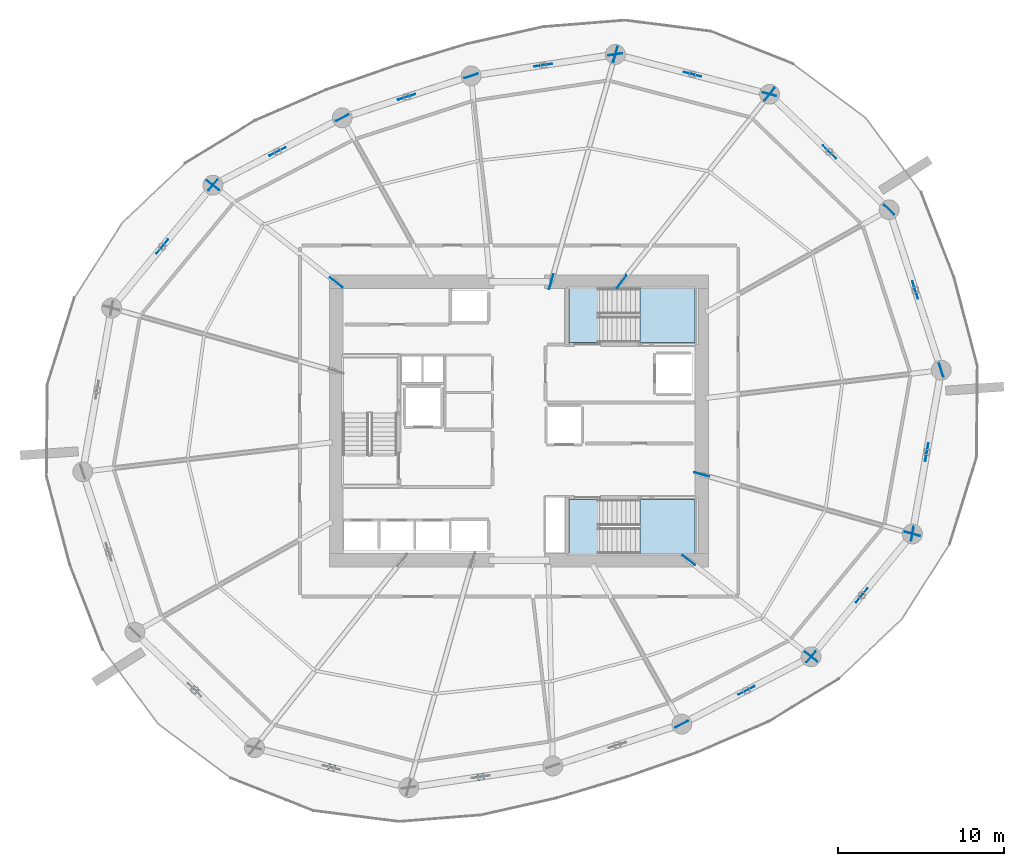
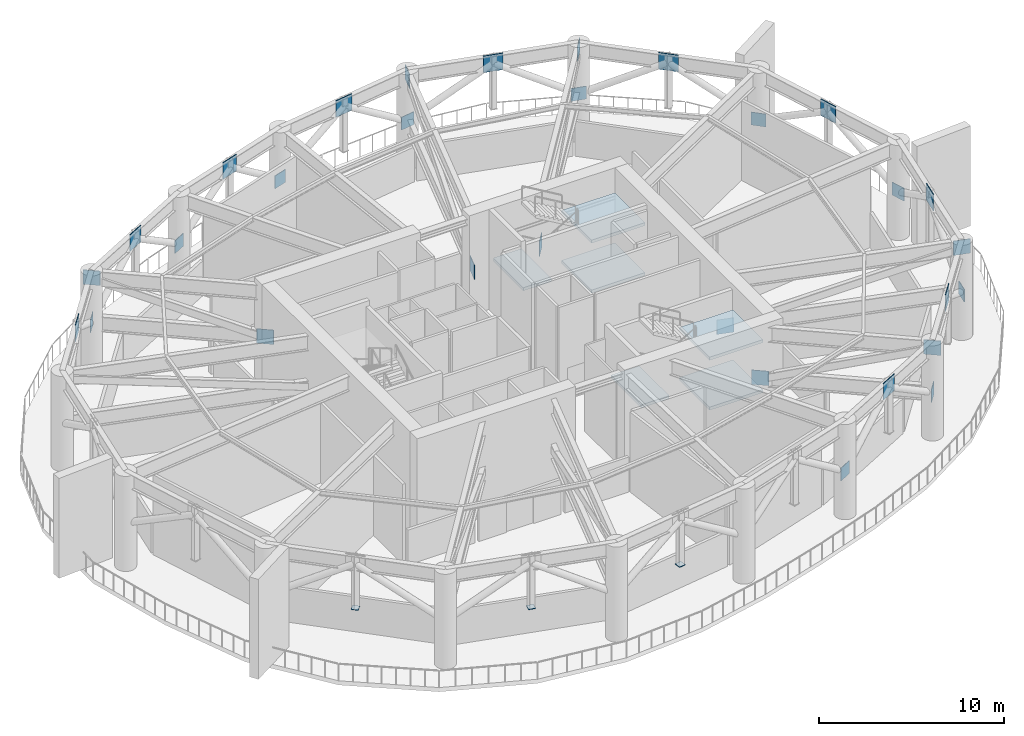
# One storey, part 10 of 19: 33 plates, 6 slabs, 2 elements without a shape of their own.
"""IFC4 building model written with IfcOpenShell, lengths in metres."""

import ifcopenshell
import ifcopenshell.guid

model = None  # the IFC model being written
_history = None  # IfcOwnerHistory: only IFC2X3 demands one
_inside = {}  # id of a spatial element -> (the spatial element, [elements in it])
_under = {}  # id of a project, library or spatial element -> (it, [spatial elements below it])
_declared = {}  # id of a project -> (the project, [libraries it declares])
_typed = {}  # id of a type object -> (the type object, [elements of that type])
_made_of = {}  # id of a material, layer set ... -> (it, [elements and type objects made of it])


def new_model(schema):
    """Start an empty IFC model of exactly this schema.

    Asked for "IFC4X3", IfcOpenShell would pick the latest addendum, in which some entities
    have other attributes; the version numbers below select the first issue.
    IFC2X3 requires an IfcOwnerHistory on every rooted entity: one is made here for all.
    """
    global model, _history
    if schema == "IFC4X3":
        model = ifcopenshell.file(schema_version=(4, 3, 0, 0))
    else:
        model = ifcopenshell.file(schema=schema)
    _inside.clear()
    _under.clear()
    _declared.clear()
    _typed.clear()
    _made_of.clear()
    _history = None
    if model.schema == "IFC2X3":
        org = make("IfcOrganization", Name="unknown")
        user = make(
            "IfcPersonAndOrganization",
            ThePerson=make("IfcPerson", FamilyName="unknown"),
            TheOrganization=org,
        )
        app = make(
            "IfcApplication",
            ApplicationDeveloper=org,
            Version="unknown",
            ApplicationFullName="unknown",
            ApplicationIdentifier="unknown",
        )
        _history = make(
            "IfcOwnerHistory",
            OwningUser=user,
            OwningApplication=app,
            ChangeAction="ADDED",
            CreationDate=0,
        )
    return model


def make(cls, **values):
    """One entity of the class cls with the attributes given. An attribute that is None is left unset."""
    return model.create_entity(
        cls, **{name: value for name, value in values.items() if value is not None}
    )


def rooted(cls, **values):
    """An entity with a GlobalId (a new one), such as an element, a storey or a relation."""
    return make(cls, GlobalId=ifcopenshell.guid.new(), OwnerHistory=_history, **values)


def si_unit(unit_type, name, prefix=None):
    """IfcSIUnit, for example si_unit("LENGTHUNIT", "METRE", prefix="MILLI")."""
    return make("IfcSIUnit", UnitType=unit_type, Prefix=prefix, Name=name)


def assignment(units):
    """IfcUnitAssignment: the units of a project."""
    return None if units is None else make("IfcUnitAssignment", Units=units)


def point(xyz):
    """IfcCartesianPoint."""
    return None if xyz is None else make("IfcCartesianPoint", Coordinates=xyz)


def direction(xyz):
    """IfcDirection."""
    return None if xyz is None else make("IfcDirection", DirectionRatios=xyz)


def frame(location, z_axis=None, x_axis=None):
    """IfcAxis2Placement3D, a coordinate frame: its origin and axes. An axis left out is left unset."""
    return make(
        "IfcAxis2Placement3D",
        Location=point(location),
        Axis=direction(z_axis),
        RefDirection=direction(x_axis),
    )


def frame_2d(location, x_axis=None):
    """IfcAxis2Placement2D, a coordinate frame in the plane: its origin and x axis."""
    return make(
        "IfcAxis2Placement2D", Location=point(location), RefDirection=direction(x_axis)
    )


def origin():
    """The frame at (0, 0, 0) with its axes left unset."""
    return frame((0.0, 0.0, 0.0))


def origin_2d():
    """The frame at (0, 0) in the plane with its x axis left unset."""
    return frame_2d((0.0, 0.0))


def place(relative_to, where):
    """IfcLocalPlacement: puts the frame where relative to a parent placement (None: the world)."""
    return make(
        "IfcLocalPlacement", PlacementRelTo=relative_to, RelativePlacement=where
    )


def context(
    kind, dimensions, precision=None, world=None, true_north=None, identifier=None
):
    """IfcGeometricRepresentationContext, for example the 3D "Model" context."""
    return make(
        "IfcGeometricRepresentationContext",
        ContextIdentifier=identifier,
        ContextType=kind,
        CoordinateSpaceDimension=dimensions,
        Precision=precision,
        WorldCoordinateSystem=world,
        TrueNorth=true_north,
    )


def subcontext(parent, identifier, kind, view, scale=None):
    """IfcGeometricRepresentationSubContext, for example "Body" below "Model"."""
    return make(
        "IfcGeometricRepresentationSubContext",
        ContextIdentifier=identifier,
        ContextType=kind,
        ParentContext=parent,
        TargetScale=scale,
        TargetView=view,
    )


def project(units=None, contexts=None):
    """IfcProject with its units and contexts."""
    return rooted(
        "IfcProject",
        Name="project",
        RepresentationContexts=contexts,
        UnitsInContext=assignment(units),
    )


def spatial(cls, under=None, at=None, **own):
    """A site, building, storey or space (cls), placed at a placement, below another one or the project."""
    s = rooted(cls, ObjectPlacement=at, **own)
    if under is not None:
        _under.setdefault(under.id(), (under, []))[1].append(s)
    return s


def polyline(points):
    """IfcPolyline through the points."""
    return make("IfcPolyline", Points=[point(p) for p in points])


def profile(cls, at=None, kind="AREA", **sizes):
    """A parametric profile (cls). Its sizes go by their IFC names, for example OverallWidth=200.0."""
    return make(cls, ProfileType=kind, Position=at, **sizes)


def rectangle(**sizes):
    """IfcRectangleProfileDef."""
    return profile("IfcRectangleProfileDef", **sizes)


def outline(outer, holes=None, kind="AREA"):
    """IfcArbitraryClosedProfileDef: a profile drawn as a closed curve; with holes, ...WithVoids."""
    if holes is None:
        return make("IfcArbitraryClosedProfileDef", ProfileType=kind, OuterCurve=outer)
    return make(
        "IfcArbitraryProfileDefWithVoids",
        ProfileType=kind,
        OuterCurve=outer,
        InnerCurves=holes,
    )


def extrude(swept, where, along, depth):
    """IfcExtrudedAreaSolid: the profile swept, set in the frame where, extruded along a direction by depth."""
    return make(
        "IfcExtrudedAreaSolid",
        SweptArea=swept,
        Position=where,
        ExtrudedDirection=direction(along),
        Depth=depth,
    )


def shape(context_of_items, identifier, shape_type, items):
    """IfcShapeRepresentation: the items that make up one representation, for example the "Body"."""
    return make(
        "IfcShapeRepresentation",
        ContextOfItems=context_of_items,
        RepresentationIdentifier=identifier,
        RepresentationType=shape_type,
        Items=items,
    )


def material(Name=None, Category=None):
    """IfcMaterial."""
    return make("IfcMaterial", Name=Name, Category=Category)


def layer(
    of_material, thickness, ventilated=None, Name=None, Category=None, Priority=None
):
    """IfcMaterialLayer: one layer of a wall or slab, of a material (None: an air gap)."""
    return make(
        "IfcMaterialLayer",
        Material=of_material,
        LayerThickness=thickness,
        IsVentilated=ventilated,
        Name=Name,
        Category=Category,
        Priority=Priority,
    )


def layer_set(layers, Name=None):
    """IfcMaterialLayerSet."""
    return make("IfcMaterialLayerSet", MaterialLayers=layers, LayerSetName=Name)


def made_of(thing, what):
    """Note that an element or type object is made of a material, layer set ...; save() writes the relation."""
    if what is not None:
        _made_of.setdefault(what.id(), (what, []))[1].append(thing)
    return thing


def type_object(cls, material=None, **own):
    """A type object (cls), such as IfcWallType, which elements share."""
    return made_of(rooted(cls, **own), material)


def element(
    cls,
    number,
    at=None,
    inside=None,
    cuts=None,
    type_object=None,
    material=None,
    context=None,
    identifier="Body",
    shape_type=None,
    held_by="IfcProductDefinitionShape",
    body=None,
    shapes=None,
    **own,
):
    """One element of the class cls, such as IfcWall. Its Tag is "e" and its number.

    at: its placement. inside: the storey or other place that contains it. cuts: it is an
    opening in that element (IfcRelVoidsElement). A single representation is given by context,
    identifier, shape_type and body (its items); several are given by shapes. held_by: the class
    of the entity that holds the representations. save() writes the other relations.
    """
    e = rooted(cls, Tag="e%d" % number, ObjectPlacement=at, **own)
    if body is not None:
        shapes = [shape(context, identifier, shape_type, body)]
    if shapes is not None:
        e.Representation = make(held_by, Representations=shapes)
    if inside is not None:
        _inside.setdefault(inside.id(), (inside, []))[1].append(e)
    if cuts is not None:
        rooted(
            "IfcRelVoidsElement", RelatingBuildingElement=cuts, RelatedOpeningElement=e
        )
    if type_object is not None:
        _typed.setdefault(type_object.id(), (type_object, []))[1].append(e)
    return made_of(e, material)


def aggregate(whole, parts):
    """IfcRelAggregates: a whole, such as a stair, and the parts it consists of."""
    return rooted("IfcRelAggregates", RelatingObject=whole, RelatedObjects=parts)


def save(model, path):
    """Write the relations noted so far, then the file.

    IfcRelAggregates (storeys below a building ...), IfcRelContainedInSpatialStructure (elements
    in a storey), IfcRelDefinesByType, IfcRelAssociatesMaterial and IfcRelDeclares: one each for
    every whole, place, type object, material and project.
    """
    for whole, parts in _under.values():
        aggregate(whole, parts)
    for where, things in _inside.values():
        rooted(
            "IfcRelContainedInSpatialStructure",
            RelatedElements=things,
            RelatingStructure=where,
        )
    for kind, things in _typed.values():
        rooted("IfcRelDefinesByType", RelatedObjects=things, RelatingType=kind)
    for what, things in _made_of.values():
        rooted("IfcRelAssociatesMaterial", RelatedObjects=things, RelatingMaterial=what)
    for by, libraries in _declared.values():
        rooted("IfcRelDeclares", RelatingContext=by, RelatedDefinitions=libraries)
    model.write(path)


model = new_model("IFC4")

# Units and contexts
model_context = context("Model", 3, precision=1e-05, world=origin(), true_north=direction((0.0, 1.0)))
body_context = subcontext(model_context, "Body", "Model", "MODEL_VIEW")
ifc_project = project(units=[si_unit("LENGTHUNIT", "METRE"), si_unit("AREAUNIT", "SQUARE_METRE"), si_unit("VOLUMEUNIT", "CUBIC_METRE"), si_unit("PLANEANGLEUNIT", "RADIAN"), si_unit("MASSUNIT", "GRAM", prefix="KILO")], contexts=[model_context])

# Site, building, storey
site_placement = place(None, origin())
site = spatial("IfcSite", under=ifc_project, at=site_placement, CompositionType="ELEMENT")
building_placement = place(site_placement, origin())
building = spatial("IfcBuilding", under=site, at=building_placement, Name="Kazma Halo Residences", CompositionType="ELEMENT")
storey_placement = place(building_placement, frame((0.0, 0.0, 116.39990234375)))
storey = spatial("IfcBuildingStorey", under=building, at=storey_placement, Name="L29", CompositionType="ELEMENT", Elevation=116.39990234375)

# Plates
ifc_material_1 = material(Name="Steel S355", Category="steel")
ifc_layer_1 = layer(ifc_material_1, 0.0400390625)
ifc_layer_set_1 = layer_set([ifc_layer_1], Name="Steel S355")
plate_type = type_object("IfcPlateType", Name="PLT-GUSSET-40", PredefinedType="SHEET", material=ifc_layer_set_1)
plate_1_placement = place(storey_placement, frame((67.145263671875, 58.225830078125, 5.2099609375), z_axis=(0.0, 0.0, 1.0), x_axis=(-0.719341846867, 0.69465625121, 0.0)))
element("IfcPlate", 1, at=plate_1_placement, inside=storey, type_object=plate_type, Name="L29 belt-truss apex gusset plate 01", PredefinedType="SHEET", context=body_context, shape_type="SweptSolid", body=[
    extrude(rectangle(XDim=1.10009765625, YDim=0.0400390625, at=origin_2d()), origin(), (0.0, 0.0, 1.0), 1.10009765625),
])
plate_2_placement = place(storey_placement, frame((70.7529296875, 54.7421875, 2.39501953125), z_axis=(0.0, 0.0, 1.0), x_axis=(-0.719341846867, 0.69465625121, 0.0)))
element("IfcPlate", 2, at=plate_2_placement, inside=storey, type_object=plate_type, Name="L29 belt-truss column gusset plate 01", PredefinedType="SHEET", context=body_context, shape_type="SweptSolid", body=[
    extrude(rectangle(XDim=0.85009765625, YDim=0.0400390625, at=origin_2d()), origin(), (0.0, 0.0, 1.0), 0.85009765625),
])
plate_3_placement = place(storey_placement, frame((58.887451171875, 62.91259765625, 5.2099609375), z_axis=(0.0, 0.0, 1.0), x_axis=(-0.968126765452, 0.250460707529, 0.0)))
element("IfcPlate", 3, at=plate_3_placement, inside=storey, type_object=plate_type, Name="L29 belt-truss apex gusset plate 02", PredefinedType="SHEET", context=body_context, shape_type="SweptSolid", body=[
    extrude(rectangle(XDim=1.10009765625, YDim=0.0400390625, at=origin_2d()), origin(), (0.0, 0.0, 1.0), 1.10009765625),
])
plate_4_placement = place(storey_placement, frame((63.537841796875, 61.709716796875, 2.39501953125), z_axis=(0.0, 0.0, 1.0), x_axis=(-0.968126765452, 0.250460707529, 0.0)))
element("IfcPlate", 4, at=plate_4_placement, inside=storey, type_object=plate_type, Name="L29 belt-truss column gusset plate 02", PredefinedType="SHEET", context=body_context, shape_type="SweptSolid", body=[
    extrude(rectangle(XDim=0.85009765625, YDim=0.0400390625, at=origin_2d()), origin(), (0.0, 0.0, 1.0), 0.85009765625),
])
plate_5_placement = place(storey_placement, frame((49.88671875, 63.46630859375, 5.2099609375), z_axis=(0.0, 0.0, 1.0), x_axis=(-0.989035596895, -0.147677310627, 0.0)))
element("IfcPlate", 5, at=plate_5_placement, inside=storey, type_object=plate_type, Name="L29 belt-truss apex gusset plate 03", PredefinedType="SHEET", context=body_context, shape_type="SweptSolid", body=[
    extrude(rectangle(XDim=1.10009765625, YDim=0.0400390625, at=origin_2d()), origin(), (0.0, 0.0, 1.0), 1.10009765625),
])
plate_6_placement = place(storey_placement, frame((54.2373046875, 64.11572265625, 2.39501953125), z_axis=(0.0, 0.0, 1.0), x_axis=(-0.989035596895, -0.147677310627, 0.0)))
element("IfcPlate", 6, at=plate_6_placement, inside=storey, type_object=plate_type, Name="L29 belt-truss column gusset plate 03", PredefinedType="SHEET", context=body_context, shape_type="SweptSolid", body=[
    extrude(rectangle(XDim=0.85009765625, YDim=0.0400390625, at=origin_2d()), origin(), (0.0, 0.0, 1.0), 0.85009765625),
])
plate_7_placement = place(storey_placement, frame((41.64697265625, 61.552734375, 5.2099609375), z_axis=(0.0, 0.0, 1.0), x_axis=(-0.951053654169, -0.309025802956, 0.0)))
element("IfcPlate", 7, at=plate_7_placement, inside=storey, type_object=plate_type, Name="L29 belt-truss apex gusset plate 04", PredefinedType="SHEET", context=body_context, shape_type="SweptSolid", body=[
    extrude(rectangle(XDim=1.10009765625, YDim=0.0400390625, at=origin_2d()), origin(), (0.0, 0.0, 1.0), 1.10009765625),
])
plate_8_placement = place(storey_placement, frame((45.5361328125, 62.816650390625, 2.39501953125), z_axis=(0.0, 0.0, 1.0), x_axis=(-0.951053654169, -0.309025802956, 0.0)))
element("IfcPlate", 8, at=plate_8_placement, inside=storey, type_object=plate_type, Name="L29 belt-truss column gusset plate 04", PredefinedType="SHEET", context=body_context, shape_type="SweptSolid", body=[
    extrude(rectangle(XDim=0.85009765625, YDim=0.0400390625, at=origin_2d()), origin(), (0.0, 0.0, 1.0), 0.85009765625),
])
plate_9_placement = place(storey_placement, frame((33.85595703125, 58.257568359375, 5.2099609375), z_axis=(0.0, 0.0, 1.0), x_axis=(-0.886956671645, -0.461852641677, 0.0)))
element("IfcPlate", 9, at=plate_9_placement, inside=storey, type_object=plate_type, Name="L29 belt-truss apex gusset plate 05", PredefinedType="SHEET", context=body_context, shape_type="SweptSolid", body=[
    extrude(rectangle(XDim=1.10009765625, YDim=0.0400390625, at=origin_2d()), origin(), (0.0, 0.0, 1.0), 1.10009765625),
])
plate_10_placement = place(storey_placement, frame((37.757568359375, 60.2890625, 2.39501953125), z_axis=(0.0, 0.0, 1.0), x_axis=(-0.886956671645, -0.461852641677, 0.0)))
element("IfcPlate", 10, at=plate_10_placement, inside=storey, type_object=plate_type, Name="L29 belt-truss column gusset plate 05", PredefinedType="SHEET", context=body_context, shape_type="SweptSolid", body=[
    extrude(rectangle(XDim=0.85009765625, YDim=0.0400390625, at=origin_2d()), origin(), (0.0, 0.0, 1.0), 0.85009765625),
])
plate_11_placement = place(storey_placement, frame((26.8994140625, 52.519287109375, 5.2099609375), z_axis=(0.0, 0.0, 1.0), x_axis=(-0.636001652074, -0.771687694964, 0.0)))
element("IfcPlate", 11, at=plate_11_placement, inside=storey, type_object=plate_type, Name="L29 belt-truss apex gusset plate 06", PredefinedType="SHEET", context=body_context, shape_type="SweptSolid", body=[
    extrude(rectangle(XDim=1.10009765625, YDim=0.0400390625, at=origin_2d()), origin(), (0.0, 0.0, 1.0), 1.10009765625),
])
plate_12_placement = place(storey_placement, frame((29.95458984375, 56.225830078125, 2.39501953125), z_axis=(0.0, 0.0, 1.0), x_axis=(-0.636001652074, -0.771687694964, 0.0)))
element("IfcPlate", 12, at=plate_12_placement, inside=storey, type_object=plate_type, Name="L29 belt-truss column gusset plate 06", PredefinedType="SHEET", context=body_context, shape_type="SweptSolid", body=[
    extrude(rectangle(XDim=0.85009765625, YDim=0.0400390625, at=origin_2d()), origin(), (0.0, 0.0, 1.0), 0.85009765625),
])
for number, where, z_axis, x_axis, name in (
    (13, (28.8544921875, 25.77392578125, 2.780029296875), (0.0, 0.0, 1.0), (0.719341846867, -0.69465625121, 0.0), "L29 belt-truss post welded cap plate 09"),
    (14, (37.112548828125, 21.087158203125, 2.780029296875), (0.0, 0.0, 1.0), (0.968126765452, -0.250460707529, 0.0), "L29 belt-truss post welded cap plate 10"),
    (15, (46.11328125, 20.53369140625, 2.780029296875), (0.0, 0.0, 1.0), (0.989035596895, 0.147677310627, 0.0), "L29 belt-truss post welded cap plate 11"),
):
    element("IfcPlate", number, at=place(storey_placement, frame(where, z_axis=z_axis, x_axis=x_axis)), inside=storey, type_object=plate_type, Name=name, PredefinedType="SHEET", context=body_context, shape_type="SweptSolid", body=[
        extrude(rectangle(XDim=0.39990234375, YDim=0.39990234375, at=origin_2d()), origin(), (0.0, 0.0, 1.0), 0.0400390625),
    ])
plate_13_placement = place(storey_placement, frame((62.14404296875, 25.742431640625, 5.2099609375), z_axis=(0.0, 0.0, 1.0), x_axis=(0.886956671645, 0.461852641677, 0.0)))
element("IfcPlate", 16, at=plate_13_placement, inside=storey, type_object=plate_type, Name="L29 belt-truss apex gusset plate 13", PredefinedType="SHEET", context=body_context, shape_type="SweptSolid", body=[
    extrude(rectangle(XDim=1.10009765625, YDim=0.0400390625, at=origin_2d()), origin(), (0.0, 0.0, 1.0), 1.10009765625),
])
plate_14_placement = place(storey_placement, frame((58.242431640625, 23.7109375, 2.39501953125), z_axis=(0.0, 0.0, 1.0), x_axis=(0.886956671645, 0.461852641677, 0.0)))
element("IfcPlate", 17, at=plate_14_placement, inside=storey, type_object=plate_type, Name="L29 belt-truss column gusset plate 13", PredefinedType="SHEET", context=body_context, shape_type="SweptSolid", body=[
    extrude(rectangle(XDim=0.85009765625, YDim=0.0400390625, at=origin_2d()), origin(), (0.0, 0.0, 1.0), 0.85009765625),
])
plate_15_placement = place(storey_placement, frame((69.100341796875, 31.480712890625, 5.2099609375), z_axis=(0.0, 0.0, 1.0), x_axis=(0.636001652074, 0.771687694964, 0.0)))
element("IfcPlate", 18, at=plate_15_placement, inside=storey, type_object=plate_type, Name="L29 belt-truss apex gusset plate 14", PredefinedType="SHEET", context=body_context, shape_type="SweptSolid", body=[
    extrude(rectangle(XDim=1.10009765625, YDim=0.0400390625, at=origin_2d()), origin(), (0.0, 0.0, 1.0), 1.10009765625),
])
plate_16_placement = place(storey_placement, frame((66.04541015625, 27.774169921875, 2.39501953125), z_axis=(0.0, 0.0, 1.0), x_axis=(0.636001652074, 0.771687694964, 0.0)))
element("IfcPlate", 19, at=plate_16_placement, inside=storey, type_object=plate_type, Name="L29 belt-truss column gusset plate 14", PredefinedType="SHEET", context=body_context, shape_type="SweptSolid", body=[
    extrude(rectangle(XDim=0.85009765625, YDim=0.0400390625, at=origin_2d()), origin(), (0.0, 0.0, 1.0), 0.85009765625),
])
plate_17_placement = place(storey_placement, frame((73.0263671875, 40.126220703125, 5.2099609375), z_axis=(0.0, 0.0, 1.0), x_axis=(0.173659066943, 0.984805832877, 0.0)))
element("IfcPlate", 20, at=plate_17_placement, inside=storey, type_object=plate_type, Name="L29 belt-truss apex gusset plate 15", PredefinedType="SHEET", context=body_context, shape_type="SweptSolid", body=[
    extrude(rectangle(XDim=1.10009765625, YDim=0.0400390625, at=origin_2d()), origin(), (0.0, 0.0, 1.0), 1.10009765625),
])
plate_18_placement = place(storey_placement, frame((72.155517578125, 35.1875, 2.39501953125), z_axis=(0.0, 0.0, 1.0), x_axis=(0.173659066943, 0.984805832877, 0.0)))
element("IfcPlate", 21, at=plate_18_placement, inside=storey, type_object=plate_type, Name="L29 belt-truss column gusset plate 15", PredefinedType="SHEET", context=body_context, shape_type="SweptSolid", body=[
    extrude(rectangle(XDim=0.85009765625, YDim=0.0400390625, at=origin_2d()), origin(), (0.0, 0.0, 1.0), 0.85009765625),
])
plate_19_placement = place(storey_placement, frame((72.3251953125, 49.903564453125, 5.2099609375), z_axis=(0.0, 0.0, 1.0), x_axis=(-0.309018737376, 0.951055949958, 0.0)))
element("IfcPlate", 22, at=plate_19_placement, inside=storey, type_object=plate_type, Name="L29 belt-truss apex gusset plate 16", PredefinedType="SHEET", context=body_context, shape_type="SweptSolid", body=[
    extrude(rectangle(XDim=1.10009765625, YDim=0.0400390625, at=origin_2d()), origin(), (0.0, 0.0, 1.0), 1.10009765625),
])
plate_20_placement = place(storey_placement, frame((73.897216796875, 45.065185546875, 2.39501953125), z_axis=(0.0, 0.0, 1.0), x_axis=(-0.309018737376, 0.951055949958, 0.0)))
element("IfcPlate", 23, at=plate_20_placement, inside=storey, type_object=plate_type, Name="L29 belt-truss column gusset plate 16", PredefinedType="SHEET", context=body_context, shape_type="SweptSolid", body=[
    extrude(rectangle(XDim=0.85009765625, YDim=0.0400390625, at=origin_2d()), origin(), (0.0, 0.0, 1.0), 0.85009765625),
])
for number, where, z_axis, x_axis, name in (
    (24, (54.6220703125, 50.39990234375, 2.34521484375), (0.0, 0.0, 1.0), (0.619091869175, 0.785318570723, 0.0), "L29 outrigger core gusset plate 01"),
    (25, (63.537841796875, 61.709716796875, 5.28515625), (0.0, 0.0, 1.0), (0.619091869175, 0.785318570723, 0.0), "L29 outrigger perimeter gusset plate 01"),
    (26, (50.368896484375, 50.39990234375, 2.34521484375), (0.0, 0.0, 1.0), (0.27144333158, 0.962454423721, 0.0), "L29 outrigger core gusset plate 02"),
    (27, (54.2373046875, 64.11572265625, 5.28515625), (0.0, 0.0, 1.0), (0.27144333158, 0.962454423721, 0.0), "L29 outrigger perimeter gusset plate 02"),
    (28, (37.39990234375, 50.3564453125, 2.34521484375), (0.0, 0.0, 1.0), (-0.785319952521, 0.619090116358, 0.0), "L29 outrigger core gusset plate 03"),
    (29, (29.95458984375, 56.225830078125, 5.28515625), (0.0, 0.0, 1.0), (-0.785319952521, 0.619090116358, 0.0), "L29 outrigger perimeter gusset plate 03"),
    (30, (58.6552734375, 33.60009765625, 2.34521484375), (0.0, 0.0, 1.0), (0.785320233207, -0.619089760307, 0.0), "L29 outrigger core gusset plate 07"),
    (31, (66.04541015625, 27.774169921875, 5.28515625), (0.0, 0.0, 1.0), (0.785320233207, -0.619089760307, 0.0), "L29 outrigger perimeter gusset plate 07"),
    (32, (59.449951171875, 38.770751953125, 2.34521484375), (0.0, 0.0, 1.0), (0.96245510574, -0.271440913339, 0.0), "L29 outrigger core gusset plate 08"),
    (33, (72.155517578125, 35.1875, 5.28515625), (0.0, 0.0, 1.0), (0.96245510574, -0.271440913339, 0.0), "L29 outrigger perimeter gusset plate 08"),
):
    element("IfcPlate", number, at=place(storey_placement, frame(where, z_axis=z_axis, x_axis=x_axis)), inside=storey, type_object=plate_type, Name=name, PredefinedType="SHEET", context=body_context, shape_type="SweptSolid", body=[
        extrude(rectangle(XDim=0.949951171875, YDim=0.0400390625, at=origin_2d()), origin(), (0.0, 0.0, 1.0), 0.949951171875),
    ])

# Stair, slabs
ifc_material_2 = material(Name="Concrete C50/60", Category="concrete")
stair_type = type_object("IfcStairType", Name="STR-CRWN", PredefinedType="HALF_TURN_STAIR", material=ifc_material_2)
stair_1_placement = place(storey_placement, origin())
stair_1 = element("IfcStair", 34, at=stair_1_placement, inside=storey, type_object=stair_type, Name="L29 Core exit stair ST-02", PredefinedType="HALF_TURN_STAIR")
ifc_layer_2 = layer(ifc_material_2, 0.199951171875)
ifc_layer_set_2 = layer_set([ifc_layer_2], Name="Concrete C50/60")
slab_type = type_object("IfcSlabType", Name="SLB-STAIR-LND-200", PredefinedType="LANDING", material=ifc_layer_set_2)
slab_1_placement = place(storey_placement, frame((0.0, 0.0, 1.4501953125)))
slab_1 = element("IfcSlab", 35, at=slab_1_placement, type_object=slab_type, Name="ST-02 landing 1", PredefinedType="LANDING", context=body_context, shape_type="SweptSolid", body=[
    extrude(outline(polyline([(55.719970703125, 46.75), (59.050048828125, 46.75), (59.050048828125, 50.0), (55.719970703125, 50.0), (55.719970703125, 46.75)])), origin(), (0.0, 0.0, 1.0), 0.199951171875),
])
slab_2_placement = place(storey_placement, frame((0.0, 0.0, 3.10009765625)))
slab_2 = element("IfcSlab", 36, at=slab_2_placement, type_object=slab_type, Name="ST-02 landing 2", PredefinedType="LANDING", context=body_context, shape_type="SweptSolid", body=[
    extrude(outline(polyline([(51.449951171875, 46.75), (53.199951171875, 46.75), (53.199951171875, 50.0), (51.449951171875, 50.0), (51.449951171875, 46.75)])), origin(), (0.0, 0.0, 1.0), 0.199951171875),
])
slab_3_placement = place(storey_placement, frame((0.0, 0.0, 4.75)))
slab_3 = element("IfcSlab", 37, at=slab_3_placement, type_object=slab_type, Name="ST-02 landing 3", PredefinedType="LANDING", context=body_context, shape_type="SweptSolid", body=[
    extrude(outline(polyline([(55.719970703125, 46.75), (59.050048828125, 46.75), (59.050048828125, 50.0), (55.719970703125, 50.0), (55.719970703125, 46.75)])), origin(), (0.0, 0.0, 1.0), 0.2001953125),
])
aggregate(stair_1, [slab_1, slab_2, slab_3])

stair_2_placement = place(storey_placement, origin())
stair_2 = element("IfcStair", 38, at=stair_2_placement, inside=storey, type_object=stair_type, Name="L29 Core exit stair ST-03", PredefinedType="HALF_TURN_STAIR")
slab_4_placement = place(storey_placement, frame((0.0, 0.0, 1.4501953125)))
slab_4 = element("IfcSlab", 39, at=slab_4_placement, type_object=slab_type, Name="ST-03 landing 1", PredefinedType="LANDING", context=body_context, shape_type="SweptSolid", body=[
    extrude(outline(polyline([(55.719970703125, 34.0), (59.050048828125, 34.0), (59.050048828125, 37.25), (55.719970703125, 37.25), (55.719970703125, 34.0)])), origin(), (0.0, 0.0, 1.0), 0.199951171875),
])
slab_5_placement = place(storey_placement, frame((0.0, 0.0, 3.10009765625)))
slab_5 = element("IfcSlab", 40, at=slab_5_placement, type_object=slab_type, Name="ST-03 landing 2", PredefinedType="LANDING", context=body_context, shape_type="SweptSolid", body=[
    extrude(outline(polyline([(51.449951171875, 34.0), (53.199951171875, 34.0), (53.199951171875, 37.25), (51.449951171875, 37.25), (51.449951171875, 34.0)])), origin(), (0.0, 0.0, 1.0), 0.199951171875),
])
slab_6_placement = place(storey_placement, frame((0.0, 0.0, 4.75)))
slab_6 = element("IfcSlab", 41, at=slab_6_placement, type_object=slab_type, Name="ST-03 landing 3", PredefinedType="LANDING", context=body_context, shape_type="SweptSolid", body=[
    extrude(outline(polyline([(55.719970703125, 34.0), (59.050048828125, 34.0), (59.050048828125, 37.25), (55.719970703125, 37.25), (55.719970703125, 34.0)])), origin(), (0.0, 0.0, 1.0), 0.2001953125),
])
aggregate(stair_2, [slab_4, slab_5, slab_6])

save(model, "model.ifc")
